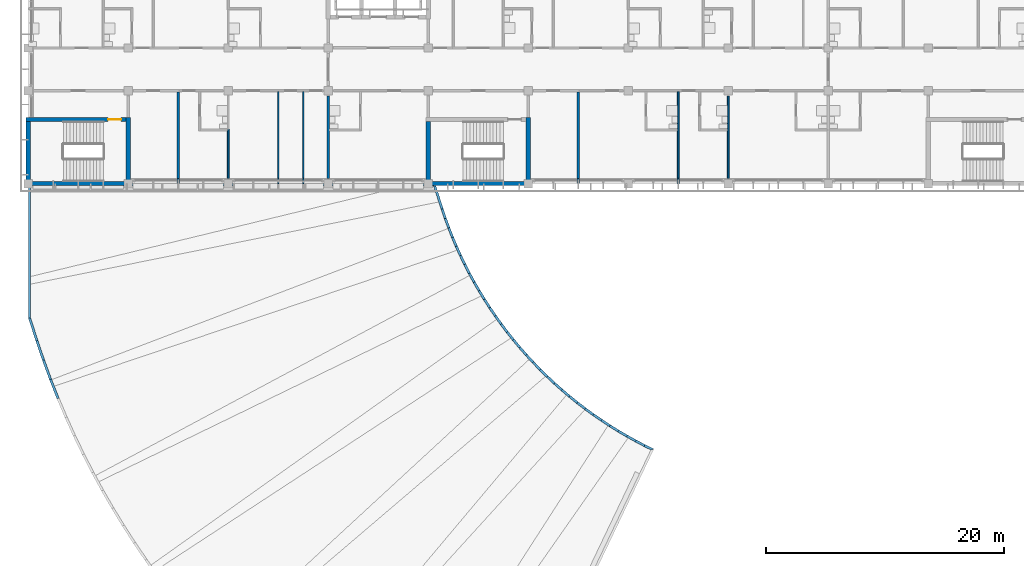
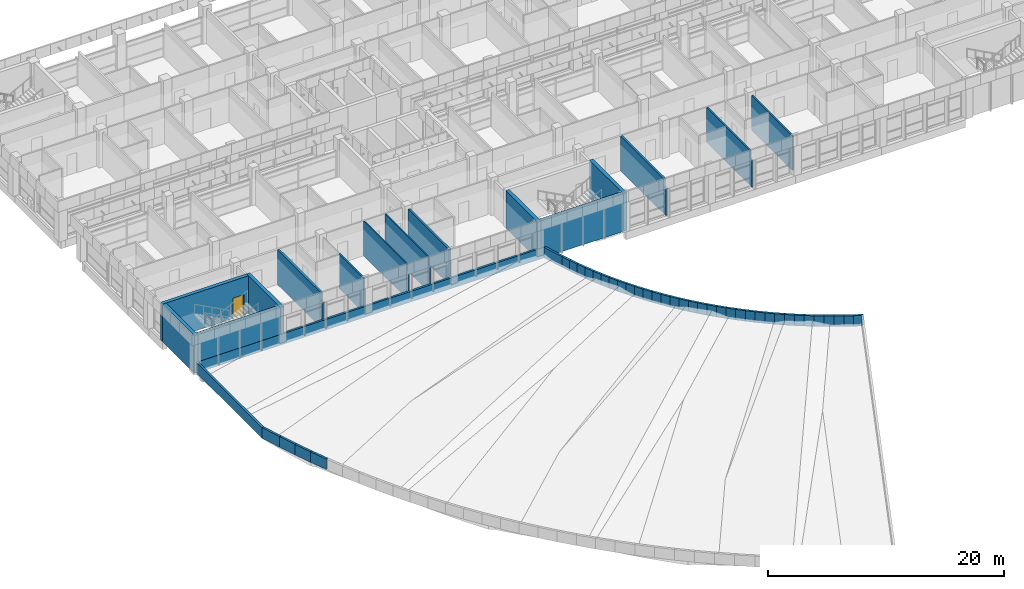
# One storey, part 29 of 74: 60 walls, 1 door, 1 opening.
"""IFC4 building model written with IfcOpenShell, lengths in metres."""

from ifc_helpers import new_model, si_unit, direction, frame, frame_2d, origin, place, context, subcontext, project, spatial, polyline, rectangle, outline, extrude, material, layer, layer_set, type_object, element, fill, save


model = new_model("IFC4")

# Units and contexts
model_context = context("Model", 3, precision=1e-05, world=origin(), true_north=direction((0.0, 1.0)))
body_context = subcontext(model_context, "Body", "Model", "MODEL_VIEW")
ifc_project = project(units=[si_unit("LENGTHUNIT", "METRE"), si_unit("AREAUNIT", "SQUARE_METRE"), si_unit("VOLUMEUNIT", "CUBIC_METRE"), si_unit("PLANEANGLEUNIT", "RADIAN"), si_unit("MASSUNIT", "GRAM", prefix="KILO")], contexts=[model_context])

# Site, building, storey
site_placement = place(None, origin())
site = spatial("IfcSite", under=ifc_project, at=site_placement, CompositionType="ELEMENT")
building_placement = place(site_placement, origin())
building = spatial("IfcBuilding", under=site, at=building_placement, Name="Bougainvillea Quay General Hospital", CompositionType="ELEMENT")
storey_placement = place(building_placement, frame((0.0, 0.0, 21.0)))
storey = spatial("IfcBuildingStorey", under=building, at=storey_placement, Name="L04", CompositionType="ELEMENT", Elevation=21.0)

# Walls
ifc_material_1 = material(Name="Gypsum board partition on steel studs", Category="steel")
ifc_layer_1 = layer(ifc_material_1, 0.10009765625)
ifc_layer_set_1 = layer_set([ifc_layer_1], Name="Gypsum board partition on steel studs")
wall_type_1 = type_object("IfcWallType", Name="Partition 100 Gypsum board partition", PredefinedType="PARTITIONING", material=ifc_layer_set_1)
wall_1_placement = place(storey_placement, frame((63.0, 117.60009765625, 0.0), z_axis=(0.0, 0.0, 1.0), x_axis=(0.0, 1.0, 0.0)))
element("IfcWall", 1, at=wall_1_placement, inside=storey, type_object=wall_type_1, Name="Partition 100 mm", PredefinedType="PARTITIONING", context=body_context, shape_type="SweptSolid", body=[
    extrude(rectangle(XDim=0.449951171875, YDim=0.10009765625, at=frame_2d((0.22509765625, 0.0))), origin(), (0.0, 0.0, 1.0), 2.780029296875),
])
wall_2_placement = place(storey_placement, frame((63.0, 118.050048828125, 0.0), z_axis=(0.0, 0.0, 1.0), x_axis=(0.0, 1.0, 0.0)))
element("IfcWall", 2, at=wall_2_placement, inside=storey, type_object=wall_type_1, Name="Partition 100 mm", PredefinedType="PARTITIONING", context=body_context, shape_type="SweptSolid", body=[
    extrude(rectangle(XDim=7.27490234375, YDim=0.10009765625, at=frame_2d((3.637451171875, 0.0))), origin(), (0.0, 0.0, 1.0), 3.60009765625),
])
wall_3_placement = place(storey_placement, frame((65.10009765625, 117.60009765625, 0.0), z_axis=(0.0, 0.0, 1.0), x_axis=(0.0, 1.0, 0.0)))
element("IfcWall", 3, at=wall_3_placement, inside=storey, type_object=wall_type_1, Name="Partition 100 mm", PredefinedType="PARTITIONING", context=body_context, shape_type="SweptSolid", body=[
    extrude(rectangle(XDim=0.449951171875, YDim=0.10009765625, at=frame_2d((0.22509765625, 0.0))), origin(), (0.0, 0.0, 1.0), 2.780029296875),
])
wall_4_placement = place(storey_placement, frame((65.10009765625, 118.050048828125, 0.0), z_axis=(0.0, 0.0, 1.0), x_axis=(0.0, 1.0, 0.0)))
element("IfcWall", 4, at=wall_4_placement, inside=storey, type_object=wall_type_1, Name="Partition 100 mm", PredefinedType="PARTITIONING", context=body_context, shape_type="SweptSolid", body=[
    extrude(rectangle(XDim=7.27490234375, YDim=0.10009765625, at=frame_2d((3.637451171875, 0.0))), origin(), (0.0, 0.0, 1.0), 3.60009765625),
])
ifc_material_2 = material(Name="Gypsum board partition on steel studs, insulated", Category="steel")
ifc_layer_2 = layer(ifc_material_2, 0.14990234375)
ifc_layer_set_2 = layer_set([ifc_layer_2], Name="Gypsum board partition on steel studs, insulated")
wall_type_2 = type_object("IfcWallType", Name="Partition 150 Gypsum board partition", PredefinedType="PARTITIONING", material=ifc_layer_set_2)
wall_5_placement = place(storey_placement, frame((96.60009765625, 117.60009765625, 0.0), z_axis=(0.0, 0.0, 1.0), x_axis=(0.0, 1.0, 0.0)))
element("IfcWall", 5, at=wall_5_placement, inside=storey, type_object=wall_type_2, Name="Partition 150 mm", PredefinedType="PARTITIONING", context=body_context, shape_type="SweptSolid", body=[
    extrude(rectangle(XDim=0.449951171875, YDim=0.14990234375, at=frame_2d((0.22509765625, 0.0))), origin(), (0.0, 0.0, 1.0), 2.780029296875),
])
wall_6_placement = place(storey_placement, frame((96.60009765625, 118.050048828125, 0.0), z_axis=(0.0, 0.0, 1.0), x_axis=(0.0, 1.0, 0.0)))
element("IfcWall", 6, at=wall_6_placement, inside=storey, type_object=wall_type_2, Name="Partition 150 mm", PredefinedType="PARTITIONING", context=body_context, shape_type="SweptSolid", body=[
    extrude(rectangle(XDim=7.27490234375, YDim=0.14990234375, at=frame_2d((3.637451171875, 0.0))), origin(), (0.0, 0.0, 1.0), 3.60009765625),
])
wall_7_placement = place(storey_placement, frame((100.800048828125, 118.050048828125, 0.0), z_axis=(0.0, 0.0, 1.0), x_axis=(0.0, 1.0, 0.0)))
element("IfcWall", 7, at=wall_7_placement, inside=storey, type_object=wall_type_2, Name="Partition 150 mm", PredefinedType="PARTITIONING", context=body_context, shape_type="SweptSolid", body=[
    extrude(rectangle(XDim=6.89990234375, YDim=0.14990234375, at=frame_2d((3.449951171875, 0.0))), origin(), (0.0, 0.0, 1.0), 3.60009765625),
])
wall_8_placement = place(storey_placement, frame((58.800048828125, 118.050048828125, 0.0), z_axis=(0.0, 0.0, 1.0), x_axis=(0.0, 1.0, 0.0)))
element("IfcWall", 8, at=wall_8_placement, inside=storey, type_object=wall_type_2, Name="Partition 150 mm", PredefinedType="PARTITIONING", context=body_context, shape_type="SweptSolid", body=[
    extrude(rectangle(XDim=4.125, YDim=0.14990234375, at=frame_2d((2.0625, 0.0))), origin(), (0.0, 0.0, 1.0), 3.60009765625),
])
ifc_material_3 = material(Name="Fire-rated autoclaved aerated block wall, plastered")
ifc_layer_3 = layer(ifc_material_3, 0.199951171875)
ifc_layer_set_3 = layer_set([ifc_layer_3], Name="Fire-rated autoclaved aerated block wall, plastered")
wall_type_3 = type_object("IfcWallType", Name="Partition 200 Fire-rated autoclaved aerated block wall EI 120", PredefinedType="SOLIDWALL", material=ifc_layer_set_3)
wall_9_placement = place(storey_placement, frame((67.199951171875, 124.949951171875, 0.0), z_axis=(0.0, 0.0, 1.0), x_axis=(0.0, -1.0, 0.0)))
element("IfcWall", 9, at=wall_9_placement, inside=storey, type_object=wall_type_3, Name="Partition 200 mm EI 120", PredefinedType="SOLIDWALL", context=body_context, shape_type="SweptSolid", body=[
    extrude(rectangle(XDim=6.89990234375, YDim=0.199951171875, at=frame_2d((3.449951171875, 0.0))), origin(), (0.0, 0.0, 1.0), 3.60009765625),
])
wall_10_placement = place(storey_placement, frame((54.60009765625, 117.60009765625, 0.0), z_axis=(0.0, 0.0, 1.0), x_axis=(0.0, 1.0, 0.0)))
element("IfcWall", 10, at=wall_10_placement, inside=storey, type_object=wall_type_3, Name="Partition 200 mm EI 120", PredefinedType="SOLIDWALL", context=body_context, shape_type="SweptSolid", body=[
    extrude(rectangle(XDim=0.449951171875, YDim=0.199951171875, at=frame_2d((0.22509765625, 0.0))), origin(), (0.0, 0.0, 1.0), 2.780029296875),
])
wall_11_placement = place(storey_placement, frame((54.60009765625, 118.050048828125, 0.0), z_axis=(0.0, 0.0, 1.0), x_axis=(0.0, 1.0, 0.0)))
element("IfcWall", 11, at=wall_11_placement, inside=storey, type_object=wall_type_3, Name="Partition 200 mm EI 120", PredefinedType="SOLIDWALL", context=body_context, shape_type="SweptSolid", body=[
    extrude(rectangle(XDim=7.25, YDim=0.199951171875, at=frame_2d((3.625, 0.0))), origin(), (0.0, 0.0, 1.0), 3.60009765625),
])
wall_12_placement = place(storey_placement, frame((88.199951171875, 117.60009765625, 0.0), z_axis=(0.0, 0.0, 1.0), x_axis=(0.0, 1.0, 0.0)))
element("IfcWall", 12, at=wall_12_placement, inside=storey, type_object=wall_type_3, Name="Partition 200 mm EI 120", PredefinedType="SOLIDWALL", context=body_context, shape_type="SweptSolid", body=[
    extrude(rectangle(XDim=0.449951171875, YDim=0.199951171875, at=frame_2d((0.22509765625, 0.0))), origin(), (0.0, 0.0, 1.0), 2.780029296875),
])
wall_13_placement = place(storey_placement, frame((88.199951171875, 118.050048828125, 0.0), z_axis=(0.0, 0.0, 1.0), x_axis=(0.0, 1.0, 0.0)))
element("IfcWall", 13, at=wall_13_placement, inside=storey, type_object=wall_type_3, Name="Partition 200 mm EI 120", PredefinedType="SOLIDWALL", context=body_context, shape_type="SweptSolid", body=[
    extrude(rectangle(XDim=7.25, YDim=0.199951171875, at=frame_2d((3.625, 0.0))), origin(), (0.0, 0.0, 1.0), 3.60009765625),
])

# Wall, opening, door
ifc_material_4 = material(Name="Concrete C40", Category="concrete")
ifc_layer_4 = layer(ifc_material_4, 0.35009765625)
ifc_layer_set_4 = layer_set([ifc_layer_4], Name="Concrete C40")
wall_type_4 = type_object("IfcWallType", Name="RC SHEAR WALL 350 C40", PredefinedType="SHEAR", material=ifc_layer_set_4)
wall_14_placement = place(storey_placement, frame((41.824951171875, 123.0, 0.0), z_axis=(0.0, 0.0, 1.0), x_axis=(1.0, 0.0, 0.0)))
wall_14 = element("IfcWall", 14, at=wall_14_placement, inside=storey, type_object=wall_type_4, Name="Shear wall L04", PredefinedType="SHEAR", context=body_context, shape_type="SweptSolid", body=[
    extrude(rectangle(XDim=8.400146484375, YDim=0.35009765625, at=frame_2d((4.2001953125, 0.0))), origin(), (0.0, 0.0, 1.0), 3.89990234375),
])
opening_placement = place(wall_14_placement, frame((6.875, 0.0, 0.0)))
opening = element("IfcOpeningElement", 15, at=opening_placement, cuts=wall_14, Name="Opening L04.149", PredefinedType="OPENING", context=body_context, shape_type="SweptSolid", body=[
    extrude(rectangle(XDim=1.10009765625, YDim=2.10009765625, at=frame_2d((0.550048828125, 1.050048828125))), frame((0.0, 0.18505859375, 0.0), z_axis=(0.0, -1.0, 0.0), x_axis=(1.0, 0.0, 0.0)), (0.0, 0.0, 1.0), 0.3701171875),
])
ifc_material_5 = material(Name="Steel fire door leaf in steel frame", Category="steel")
door_type = type_object("IfcDoorType", Name="Steel single leaf door 1100x2100 FD60", OperationType="NOTDEFINED", PredefinedType="DOOR", material=ifc_material_5)
door_placement = place(opening_placement, frame((1.10009765625, 0.0, 0.0), z_axis=(0.0, 0.0, 1.0), x_axis=(-1.0, 0.0, 0.0)))
door = element("IfcDoor", 16, at=door_placement, inside=storey, type_object=door_type, Name="DT04 L04.149", OperationType="SINGLE_SWING_LEFT", OverallHeight=2.10009765625, OverallWidth=1.10009765625, PredefinedType="DOOR", context=body_context, shape_type="SweptSolid", body=[
    extrude(rectangle(XDim=1.10009765625, YDim=2.10009765625, at=frame_2d((0.550048828125, 1.050048828125))), frame((0.0, 0.02490234375, 0.0), z_axis=(0.0, -1.0, 0.0), x_axis=(1.0, 0.0, 0.0)), (0.0, 0.0, 1.0), 0.050048828125),
])
fill(opening, door)

# Walls
wall_15_placement = place(storey_placement, frame((42.0, 117.425048828125, 0.0), z_axis=(0.0, 0.0, 1.0), x_axis=(0.0, 1.0, 0.0)))
element("IfcWall", 17, at=wall_15_placement, inside=storey, type_object=wall_type_4, Name="Shear wall L04", PredefinedType="SHEAR", context=body_context, shape_type="SweptSolid", body=[
    extrude(rectangle(XDim=5.39990234375, YDim=0.35009765625, at=frame_2d((2.699951171875, 0.0))), origin(), (0.0, 0.0, 1.0), 3.89990234375),
])
wall_16_placement = place(storey_placement, frame((42.175048828125, 117.60009765625, 0.0), z_axis=(0.0, 0.0, 1.0), x_axis=(1.0, 0.0, 0.0)))
element("IfcWall", 18, at=wall_16_placement, inside=storey, type_object=wall_type_4, Name="Shear wall L04", PredefinedType="SHEAR", context=body_context, shape_type="SweptSolid", body=[
    extrude(rectangle(XDim=8.050048828125, YDim=0.35009765625, at=frame_2d((4.02490234375, 0.0))), origin(), (0.0, 0.0, 1.0), 3.89990234375),
])
wall_17_placement = place(storey_placement, frame((50.39990234375, 117.425048828125, 0.0), z_axis=(0.0, 0.0, 1.0), x_axis=(0.0, 1.0, 0.0)))
element("IfcWall", 19, at=wall_17_placement, inside=storey, type_object=wall_type_4, Name="Shear wall L04", PredefinedType="SHEAR", context=body_context, shape_type="SweptSolid", body=[
    extrude(rectangle(XDim=5.75, YDim=0.35009765625, at=frame_2d((2.875, 0.0))), origin(), (0.0, 0.0, 1.0), 3.89990234375),
])
wall_18_placement = place(storey_placement, frame((75.60009765625, 117.425048828125, 0.0), z_axis=(0.0, 0.0, 1.0), x_axis=(0.0, 1.0, 0.0)))
element("IfcWall", 20, at=wall_18_placement, inside=storey, type_object=wall_type_4, Name="Shear wall L04", PredefinedType="SHEAR", context=body_context, shape_type="SweptSolid", body=[
    extrude(rectangle(XDim=5.39990234375, YDim=0.35009765625, at=frame_2d((2.699951171875, 0.0))), origin(), (0.0, 0.0, 1.0), 3.89990234375),
])
wall_19_placement = place(storey_placement, frame((75.77490234375, 117.60009765625, 0.0), z_axis=(0.0, 0.0, 1.0), x_axis=(1.0, 0.0, 0.0)))
element("IfcWall", 21, at=wall_19_placement, inside=storey, type_object=wall_type_4, Name="Shear wall L04", PredefinedType="SHEAR", context=body_context, shape_type="SweptSolid", body=[
    extrude(rectangle(XDim=8.050048828125, YDim=0.35009765625, at=frame_2d((4.02490234375, 0.0))), origin(), (0.0, 0.0, 1.0), 3.89990234375),
])
wall_20_placement = place(storey_placement, frame((84.0, 117.425048828125, 0.0), z_axis=(0.0, 0.0, 1.0), x_axis=(0.0, 1.0, 0.0)))
element("IfcWall", 22, at=wall_20_placement, inside=storey, type_object=wall_type_4, Name="Shear wall L04", PredefinedType="SHEAR", context=body_context, shape_type="SweptSolid", body=[
    extrude(rectangle(XDim=5.75, YDim=0.35009765625, at=frame_2d((2.875, 0.0))), origin(), (0.0, 0.0, 1.0), 3.89990234375),
])
ifc_material_6 = material(Name="Concrete C35 upstand, painted white", Category="concrete")
ifc_layer_5 = layer(ifc_material_6, 0.199951171875)
ifc_layer_set_5 = layer_set([ifc_layer_5], Name="Concrete C35 upstand, painted white")
wall_type_5 = type_object("IfcWallType", Name="Roof parapet wall 200", PredefinedType="PARAPET", material=ifc_layer_set_5)
wall_21_placement = place(storey_placement, origin())
element("IfcWall", 23, at=wall_21_placement, inside=storey, type_object=wall_type_5, Name="Roof parapet 0 8", PredefinedType="PARAPET", context=body_context, shape_type="SweptSolid", body=[
    extrude(outline(polyline([(93.721435546875, 95.502685546875), (93.81201171875, 95.680908203125), (94.56298828125, 95.31201171875), (94.29736328125, 95.2197265625), (93.721435546875, 95.502685546875)])), origin(), (0.0, 0.0, 1.0), 1.10009765625),
])
wall_22_placement = place(storey_placement, origin())
element("IfcWall", 24, at=wall_22_placement, inside=storey, type_object=wall_type_5, Name="Roof parapet 0 9", PredefinedType="PARAPET", context=body_context, shape_type="SweptSolid", body=[
    extrude(outline(polyline([(92.97705078125, 95.89306640625), (93.072021484375, 96.069091796875), (93.81201171875, 95.680908203125), (93.721435546875, 95.502685546875), (92.97705078125, 95.89306640625)])), origin(), (0.0, 0.0, 1.0), 1.10009765625),
])
wall_23_placement = place(storey_placement, origin())
element("IfcWall", 25, at=wall_23_placement, inside=storey, type_object=wall_type_5, Name="Roof parapet 0 10", PredefinedType="PARAPET", context=body_context, shape_type="SweptSolid", body=[
    extrude(outline(polyline([(92.240966796875, 96.30126953125), (92.340087890625, 96.47509765625), (93.072021484375, 96.069091796875), (92.97705078125, 95.89306640625), (92.240966796875, 96.30126953125)])), origin(), (0.0, 0.0, 1.0), 1.10009765625),
])
wall_24_placement = place(storey_placement, origin())
element("IfcWall", 26, at=wall_24_placement, inside=storey, type_object=wall_type_5, Name="Roof parapet 0 11", PredefinedType="PARAPET", context=body_context, shape_type="SweptSolid", body=[
    extrude(outline(polyline([(91.515625, 96.726806640625), (91.618896484375, 96.89794921875), (92.340087890625, 96.47509765625), (92.240966796875, 96.30126953125), (91.515625, 96.726806640625)])), origin(), (0.0, 0.0, 1.0), 1.10009765625),
])
wall_25_placement = place(storey_placement, origin())
element("IfcWall", 27, at=wall_25_placement, inside=storey, type_object=wall_type_5, Name="Roof parapet 0 12", PredefinedType="PARAPET", context=body_context, shape_type="SweptSolid", body=[
    extrude(outline(polyline([(90.80126953125, 97.17041015625), (90.908935546875, 97.339111328125), (91.618896484375, 96.89794921875), (91.515625, 96.726806640625), (90.80126953125, 97.17041015625)])), origin(), (0.0, 0.0, 1.0), 1.10009765625),
])
wall_26_placement = place(storey_placement, origin())
element("IfcWall", 28, at=wall_26_placement, inside=storey, type_object=wall_type_5, Name="Roof parapet 0 13", PredefinedType="PARAPET", context=body_context, shape_type="SweptSolid", body=[
    extrude(outline(polyline([(90.098388671875, 97.632080078125), (90.2099609375, 97.798095703125), (90.908935546875, 97.339111328125), (90.80126953125, 97.17041015625), (90.098388671875, 97.632080078125)])), origin(), (0.0, 0.0, 1.0), 1.10009765625),
])
wall_27_placement = place(storey_placement, origin())
element("IfcWall", 29, at=wall_27_placement, inside=storey, type_object=wall_type_5, Name="Roof parapet 0 14", PredefinedType="PARAPET", context=body_context, shape_type="SweptSolid", body=[
    extrude(outline(polyline([(89.40625, 98.10986328125), (89.52197265625, 98.27294921875), (90.2099609375, 97.798095703125), (90.098388671875, 97.632080078125), (89.40625, 98.10986328125)])), origin(), (0.0, 0.0, 1.0), 1.10009765625),
])
wall_28_placement = place(storey_placement, origin())
element("IfcWall", 30, at=wall_28_placement, inside=storey, type_object=wall_type_5, Name="Roof parapet 0 15", PredefinedType="PARAPET", context=body_context, shape_type="SweptSolid", body=[
    extrude(outline(polyline([(88.726318359375, 98.604736328125), (88.845947265625, 98.764892578125), (89.52197265625, 98.27294921875), (89.40625, 98.10986328125), (88.726318359375, 98.604736328125)])), origin(), (0.0, 0.0, 1.0), 1.10009765625),
])
wall_29_placement = place(storey_placement, origin())
element("IfcWall", 31, at=wall_29_placement, inside=storey, type_object=wall_type_5, Name="Roof parapet 0 16", PredefinedType="PARAPET", context=body_context, shape_type="SweptSolid", body=[
    extrude(outline(polyline([(88.059326171875, 99.11669921875), (88.18310546875, 99.27392578125), (88.845947265625, 98.764892578125), (88.726318359375, 98.604736328125), (88.059326171875, 99.11669921875)])), origin(), (0.0, 0.0, 1.0), 1.10009765625),
])
wall_30_placement = place(storey_placement, origin())
element("IfcWall", 32, at=wall_30_placement, inside=storey, type_object=wall_type_5, Name="Roof parapet 0 17", PredefinedType="PARAPET", context=body_context, shape_type="SweptSolid", body=[
    extrude(outline(polyline([(87.404541015625, 99.644775390625), (87.531982421875, 99.799072265625), (88.18310546875, 99.27392578125), (88.059326171875, 99.11669921875), (87.404541015625, 99.644775390625)])), origin(), (0.0, 0.0, 1.0), 1.10009765625),
])
wall_31_placement = place(storey_placement, origin())
element("IfcWall", 33, at=wall_31_placement, inside=storey, type_object=wall_type_5, Name="Roof parapet 0 18", PredefinedType="PARAPET", context=body_context, shape_type="SweptSolid", body=[
    extrude(outline(polyline([(86.7626953125, 100.18896484375), (86.89404296875, 100.340087890625), (87.531982421875, 99.799072265625), (87.404541015625, 99.644775390625), (86.7626953125, 100.18896484375)])), origin(), (0.0, 0.0, 1.0), 1.10009765625),
])
wall_32_placement = place(storey_placement, origin())
element("IfcWall", 34, at=wall_32_placement, inside=storey, type_object=wall_type_5, Name="Roof parapet 0 19", PredefinedType="PARAPET", context=body_context, shape_type="SweptSolid", body=[
    extrude(outline(polyline([(86.135009765625, 100.748291015625), (86.27001953125, 100.89599609375), (86.89404296875, 100.340087890625), (86.7626953125, 100.18896484375), (86.135009765625, 100.748291015625)])), origin(), (0.0, 0.0, 1.0), 1.10009765625),
])
wall_33_placement = place(storey_placement, origin())
element("IfcWall", 35, at=wall_33_placement, inside=storey, type_object=wall_type_5, Name="Roof parapet 0 20", PredefinedType="PARAPET", context=body_context, shape_type="SweptSolid", body=[
    extrude(outline(polyline([(85.5205078125, 101.32373046875), (85.658935546875, 101.468017578125), (86.27001953125, 100.89599609375), (86.135009765625, 100.748291015625), (85.5205078125, 101.32373046875)])), origin(), (0.0, 0.0, 1.0), 1.10009765625),
])
wall_34_placement = place(storey_placement, origin())
element("IfcWall", 36, at=wall_34_placement, inside=storey, type_object=wall_type_5, Name="Roof parapet 0 21", PredefinedType="PARAPET", context=body_context, shape_type="SweptSolid", body=[
    extrude(outline(polyline([(84.9208984375, 101.9130859375), (85.06298828125, 102.053955078125), (85.658935546875, 101.468017578125), (85.5205078125, 101.32373046875), (84.9208984375, 101.9130859375)])), origin(), (0.0, 0.0, 1.0), 1.10009765625),
])
wall_35_placement = place(storey_placement, origin())
element("IfcWall", 37, at=wall_35_placement, inside=storey, type_object=wall_type_5, Name="Roof parapet 0 22", PredefinedType="PARAPET", context=body_context, shape_type="SweptSolid", body=[
    extrude(outline(polyline([(84.336669921875, 102.517578125), (84.48193359375, 102.655029296875), (85.06298828125, 102.053955078125), (84.9208984375, 101.9130859375), (84.336669921875, 102.517578125)])), origin(), (0.0, 0.0, 1.0), 1.10009765625),
])
wall_36_placement = place(storey_placement, origin())
element("IfcWall", 38, at=wall_36_placement, inside=storey, type_object=wall_type_5, Name="Roof parapet 0 23", PredefinedType="PARAPET", context=body_context, shape_type="SweptSolid", body=[
    extrude(outline(polyline([(83.766357421875, 103.13623046875), (83.9150390625, 103.27001953125), (84.48193359375, 102.655029296875), (84.336669921875, 102.517578125), (83.766357421875, 103.13623046875)])), origin(), (0.0, 0.0, 1.0), 1.10009765625),
])
wall_37_placement = place(storey_placement, origin())
element("IfcWall", 39, at=wall_37_placement, inside=storey, type_object=wall_type_5, Name="Roof parapet 0 24", PredefinedType="PARAPET", context=body_context, shape_type="SweptSolid", body=[
    extrude(outline(polyline([(83.212158203125, 103.767822265625), (83.364013671875, 103.89794921875), (83.9150390625, 103.27001953125), (83.766357421875, 103.13623046875), (83.212158203125, 103.767822265625)])), origin(), (0.0, 0.0, 1.0), 1.10009765625),
])
wall_38_placement = place(storey_placement, origin())
element("IfcWall", 40, at=wall_38_placement, inside=storey, type_object=wall_type_5, Name="Roof parapet 0 25", PredefinedType="PARAPET", context=body_context, shape_type="SweptSolid", body=[
    extrude(outline(polyline([(82.6728515625, 104.413818359375), (82.827880859375, 104.5400390625), (83.364013671875, 103.89794921875), (83.212158203125, 103.767822265625), (82.6728515625, 104.413818359375)])), origin(), (0.0, 0.0, 1.0), 1.10009765625),
])
wall_39_placement = place(storey_placement, origin())
element("IfcWall", 41, at=wall_39_placement, inside=storey, type_object=wall_type_5, Name="Roof parapet 0 26", PredefinedType="PARAPET", context=body_context, shape_type="SweptSolid", body=[
    extrude(outline(polyline([(82.149658203125, 105.07275390625), (82.30810546875, 105.195068359375), (82.827880859375, 104.5400390625), (82.6728515625, 104.413818359375), (82.149658203125, 105.07275390625)])), origin(), (0.0, 0.0, 1.0), 1.10009765625),
])
wall_40_placement = place(storey_placement, origin())
element("IfcWall", 42, at=wall_40_placement, inside=storey, type_object=wall_type_5, Name="Roof parapet 0 27", PredefinedType="PARAPET", context=body_context, shape_type="SweptSolid", body=[
    extrude(outline(polyline([(81.643798828125, 105.74462890625), (81.804931640625, 105.863037109375), (82.30810546875, 105.195068359375), (82.149658203125, 105.07275390625), (81.643798828125, 105.74462890625)])), origin(), (0.0, 0.0, 1.0), 1.10009765625),
])
wall_41_placement = place(storey_placement, origin())
element("IfcWall", 43, at=wall_41_placement, inside=storey, type_object=wall_type_5, Name="Roof parapet 0 28", PredefinedType="PARAPET", context=body_context, shape_type="SweptSolid", body=[
    extrude(outline(polyline([(81.154052734375, 106.428466796875), (81.318115234375, 106.54296875), (81.804931640625, 105.863037109375), (81.643798828125, 105.74462890625), (81.154052734375, 106.428466796875)])), origin(), (0.0, 0.0, 1.0), 1.10009765625),
])
wall_42_placement = place(storey_placement, origin())
element("IfcWall", 44, at=wall_42_placement, inside=storey, type_object=wall_type_5, Name="Roof parapet 0 29", PredefinedType="PARAPET", context=body_context, shape_type="SweptSolid", body=[
    extrude(outline(polyline([(80.68115234375, 107.12353515625), (80.847900390625, 107.23388671875), (81.318115234375, 106.54296875), (81.154052734375, 106.428466796875), (80.68115234375, 107.12353515625)])), origin(), (0.0, 0.0, 1.0), 1.10009765625),
])
wall_43_placement = place(storey_placement, origin())
element("IfcWall", 45, at=wall_43_placement, inside=storey, type_object=wall_type_5, Name="Roof parapet 0 30", PredefinedType="PARAPET", context=body_context, shape_type="SweptSolid", body=[
    extrude(outline(polyline([(80.2255859375, 107.830810546875), (80.39501953125, 107.93701171875), (80.847900390625, 107.23388671875), (80.68115234375, 107.12353515625), (80.2255859375, 107.830810546875)])), origin(), (0.0, 0.0, 1.0), 1.10009765625),
])
wall_44_placement = place(storey_placement, origin())
element("IfcWall", 46, at=wall_44_placement, inside=storey, type_object=wall_type_5, Name="Roof parapet 0 31", PredefinedType="PARAPET", context=body_context, shape_type="SweptSolid", body=[
    extrude(outline(polyline([(79.7880859375, 108.549072265625), (79.9599609375, 108.65087890625), (80.39501953125, 107.93701171875), (80.2255859375, 107.830810546875), (79.7880859375, 108.549072265625)])), origin(), (0.0, 0.0, 1.0), 1.10009765625),
])
wall_45_placement = place(storey_placement, origin())
element("IfcWall", 47, at=wall_45_placement, inside=storey, type_object=wall_type_5, Name="Roof parapet 0 32", PredefinedType="PARAPET", context=body_context, shape_type="SweptSolid", body=[
    extrude(outline(polyline([(79.36767578125, 109.277099609375), (79.5419921875, 109.375), (79.9599609375, 108.65087890625), (79.7880859375, 108.549072265625), (79.36767578125, 109.277099609375)])), origin(), (0.0, 0.0, 1.0), 1.10009765625),
])
wall_46_placement = place(storey_placement, origin())
element("IfcWall", 48, at=wall_46_placement, inside=storey, type_object=wall_type_5, Name="Roof parapet 0 33", PredefinedType="PARAPET", context=body_context, shape_type="SweptSolid", body=[
    extrude(outline(polyline([(78.965087890625, 110.015380859375), (79.14208984375, 110.10888671875), (79.5419921875, 109.375), (79.36767578125, 109.277099609375), (78.965087890625, 110.015380859375)])), origin(), (0.0, 0.0, 1.0), 1.10009765625),
])
wall_47_placement = place(storey_placement, origin())
element("IfcWall", 49, at=wall_47_placement, inside=storey, type_object=wall_type_5, Name="Roof parapet 0 34", PredefinedType="PARAPET", context=body_context, shape_type="SweptSolid", body=[
    extrude(outline(polyline([(78.580810546875, 110.763916015625), (78.760009765625, 110.85302734375), (79.14208984375, 110.10888671875), (78.965087890625, 110.015380859375), (78.580810546875, 110.763916015625)])), origin(), (0.0, 0.0, 1.0), 1.10009765625),
])
wall_48_placement = place(storey_placement, origin())
element("IfcWall", 50, at=wall_48_placement, inside=storey, type_object=wall_type_5, Name="Roof parapet 0 35", PredefinedType="PARAPET", context=body_context, shape_type="SweptSolid", body=[
    extrude(outline(polyline([(78.2158203125, 111.522216796875), (78.39697265625, 111.60693359375), (78.760009765625, 110.85302734375), (78.580810546875, 110.763916015625), (78.2158203125, 111.522216796875)])), origin(), (0.0, 0.0, 1.0), 1.10009765625),
])
wall_49_placement = place(storey_placement, origin())
element("IfcWall", 51, at=wall_49_placement, inside=storey, type_object=wall_type_5, Name="Roof parapet 0 36", PredefinedType="PARAPET", context=body_context, shape_type="SweptSolid", body=[
    extrude(outline(polyline([(77.86865234375, 112.287841796875), (78.052001953125, 112.367919921875), (78.39697265625, 111.60693359375), (78.2158203125, 111.522216796875), (77.86865234375, 112.287841796875)])), origin(), (0.0, 0.0, 1.0), 1.10009765625),
])
wall_50_placement = place(storey_placement, origin())
element("IfcWall", 52, at=wall_50_placement, inside=storey, type_object=wall_type_5, Name="Roof parapet 0 37", PredefinedType="PARAPET", context=body_context, shape_type="SweptSolid", body=[
    extrude(outline(polyline([(77.541748046875, 113.0625), (77.72705078125, 113.137939453125), (78.052001953125, 112.367919921875), (77.86865234375, 112.287841796875), (77.541748046875, 113.0625)])), origin(), (0.0, 0.0, 1.0), 1.10009765625),
])
wall_51_placement = place(storey_placement, origin())
element("IfcWall", 53, at=wall_51_placement, inside=storey, type_object=wall_type_5, Name="Roof parapet 0 38", PredefinedType="PARAPET", context=body_context, shape_type="SweptSolid", body=[
    extrude(outline(polyline([(77.233154296875, 113.8447265625), (77.419921875, 113.916015625), (77.72705078125, 113.137939453125), (77.541748046875, 113.0625), (77.233154296875, 113.8447265625)])), origin(), (0.0, 0.0, 1.0), 1.10009765625),
])
wall_52_placement = place(storey_placement, origin())
element("IfcWall", 54, at=wall_52_placement, inside=storey, type_object=wall_type_5, Name="Roof parapet 0 39", PredefinedType="PARAPET", context=body_context, shape_type="SweptSolid", body=[
    extrude(outline(polyline([(76.943359375, 114.634521484375), (77.132080078125, 114.700927734375), (77.419921875, 113.916015625), (77.233154296875, 113.8447265625), (76.943359375, 114.634521484375)])), origin(), (0.0, 0.0, 1.0), 1.10009765625),
])
wall_53_placement = place(storey_placement, origin())
element("IfcWall", 55, at=wall_53_placement, inside=storey, type_object=wall_type_5, Name="Roof parapet 0 40", PredefinedType="PARAPET", context=body_context, shape_type="SweptSolid", body=[
    extrude(outline(polyline([(76.674072265625, 115.43017578125), (76.864013671875, 115.492919921875), (77.132080078125, 114.700927734375), (76.943359375, 114.634521484375), (76.674072265625, 115.43017578125)])), origin(), (0.0, 0.0, 1.0), 1.10009765625),
])
wall_54_placement = place(storey_placement, origin())
element("IfcWall", 56, at=wall_54_placement, inside=storey, type_object=wall_type_5, Name="Roof parapet 0 41", PredefinedType="PARAPET", context=body_context, shape_type="SweptSolid", body=[
    extrude(outline(polyline([(76.03466796875, 117.39990234375), (76.049072265625, 117.419921875), (76.238525390625, 117.419921875), (76.864013671875, 115.492919921875), (76.674072265625, 115.43017578125), (76.03466796875, 117.39990234375)])), origin(), (0.0, 0.0, 1.0), 1.10009765625),
])
wall_55_placement = place(storey_placement, origin())
element("IfcWall", 57, at=wall_55_placement, inside=storey, type_object=wall_type_5, Name="Roof parapet 0 42", PredefinedType="PARAPET", context=body_context, shape_type="SweptSolid", body=[
    extrude(outline(polyline([(42.199951171875, 117.39990234375), (42.179931640625, 117.419921875), (50.574951171875, 117.419921875), (50.575439453125, 117.419921875), (50.575927734375, 117.420166015625), (50.576416015625, 117.420166015625), (50.576904296875, 117.42041015625), (50.577392578125, 117.420654296875), (50.577880859375, 117.4208984375), (50.578125, 117.421142578125), (50.57861328125, 117.42138671875), (50.578857421875, 117.421875), (50.5791015625, 117.422119140625), (50.579345703125, 117.422607421875), (50.57958984375, 117.423095703125), (50.579833984375, 117.423583984375), (50.579833984375, 117.424072265625), (50.580078125, 117.424560546875), (50.580078125, 117.425048828125), (50.580078125, 117.60009765625), (75.419921875, 117.60009765625), (75.419921875, 117.425048828125), (75.419921875, 117.424560546875), (75.420166015625, 117.424072265625), (75.420166015625, 117.423583984375), (75.42041015625, 117.423095703125), (75.420654296875, 117.422607421875), (75.4208984375, 117.422119140625), (75.421142578125, 117.421875), (75.42138671875, 117.42138671875), (75.421875, 117.421142578125), (75.422119140625, 117.4208984375), (75.422607421875, 117.420654296875), (75.423095703125, 117.42041015625), (75.423583984375, 117.420166015625), (75.424072265625, 117.420166015625), (75.424560546875, 117.419921875), (75.425048828125, 117.419921875), (75.77490234375, 117.419921875), (75.77490234375, 117.419921875), (76.049072265625, 117.419921875), (76.03466796875, 117.39990234375), (42.199951171875, 117.39990234375)])), origin(), (0.0, 0.0, 1.0), 1.10009765625),
])
wall_56_placement = place(storey_placement, origin())
element("IfcWall", 58, at=wall_56_placement, inside=storey, type_object=wall_type_5, Name="Roof parapet 0 43", PredefinedType="PARAPET", context=body_context, shape_type="SweptSolid", body=[
    extrude(outline(polyline([(42.199951171875, 106.32763671875), (42.0, 106.2958984375), (42.0, 117.419921875), (42.179931640625, 117.419921875), (42.199951171875, 117.39990234375), (42.199951171875, 106.32763671875)])), origin(), (0.0, 0.0, 1.0), 1.10009765625),
])
wall_57_placement = place(storey_placement, origin())
element("IfcWall", 59, at=wall_57_placement, inside=storey, type_object=wall_type_5, Name="Roof parapet 0 44", PredefinedType="PARAPET", context=body_context, shape_type="SweptSolid", body=[
    extrude(outline(polyline([(42.81591796875, 104.431884765625), (42.6259765625, 104.368896484375), (42.0, 106.2958984375), (42.199951171875, 106.32763671875), (42.81591796875, 104.431884765625)])), origin(), (0.0, 0.0, 1.0), 1.10009765625),
])
wall_58_placement = place(storey_placement, origin())
element("IfcWall", 60, at=wall_58_placement, inside=storey, type_object=wall_type_5, Name="Roof parapet 0 45", PredefinedType="PARAPET", context=body_context, shape_type="SweptSolid", body=[
    extrude(outline(polyline([(43.36669921875, 102.804443359375), (43.177978515625, 102.738037109375), (42.6259765625, 104.368896484375), (42.81591796875, 104.431884765625), (43.36669921875, 102.804443359375)])), origin(), (0.0, 0.0, 1.0), 1.10009765625),
])
wall_59_placement = place(storey_placement, origin())
element("IfcWall", 61, at=wall_59_placement, inside=storey, type_object=wall_type_5, Name="Roof parapet 0 46", PredefinedType="PARAPET", context=body_context, shape_type="SweptSolid", body=[
    extrude(outline(polyline([(43.95703125, 101.193115234375), (43.77001953125, 101.1220703125), (43.177978515625, 102.738037109375), (43.36669921875, 102.804443359375), (43.95703125, 101.193115234375)])), origin(), (0.0, 0.0, 1.0), 1.10009765625),
])
wall_60_placement = place(storey_placement, origin())
element("IfcWall", 62, at=wall_60_placement, inside=storey, type_object=wall_type_5, Name="Roof parapet 0 47", PredefinedType="PARAPET", context=body_context, shape_type="SweptSolid", body=[
    extrude(outline(polyline([(44.587158203125, 99.595703125), (44.402099609375, 99.52001953125), (43.77001953125, 101.1220703125), (43.95703125, 101.193115234375), (44.587158203125, 99.595703125)])), origin(), (0.0, 0.0, 1.0), 1.10009765625),
])

save(model, "model.ifc")
